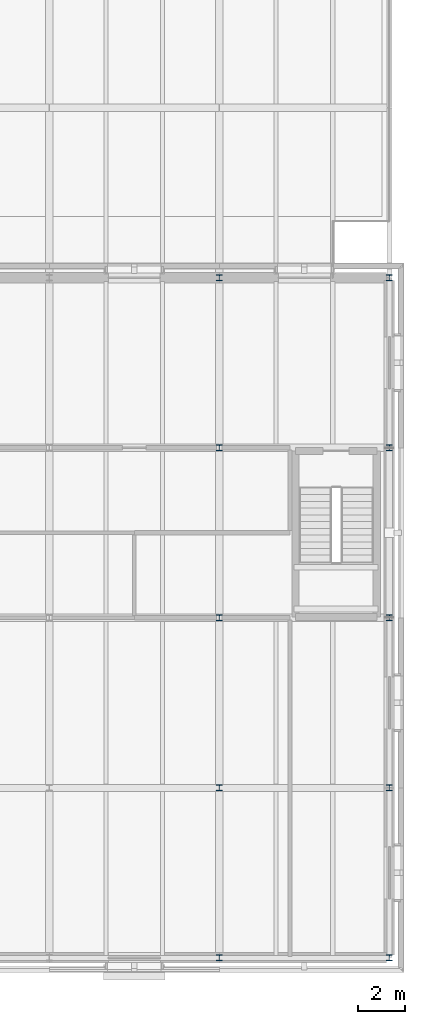
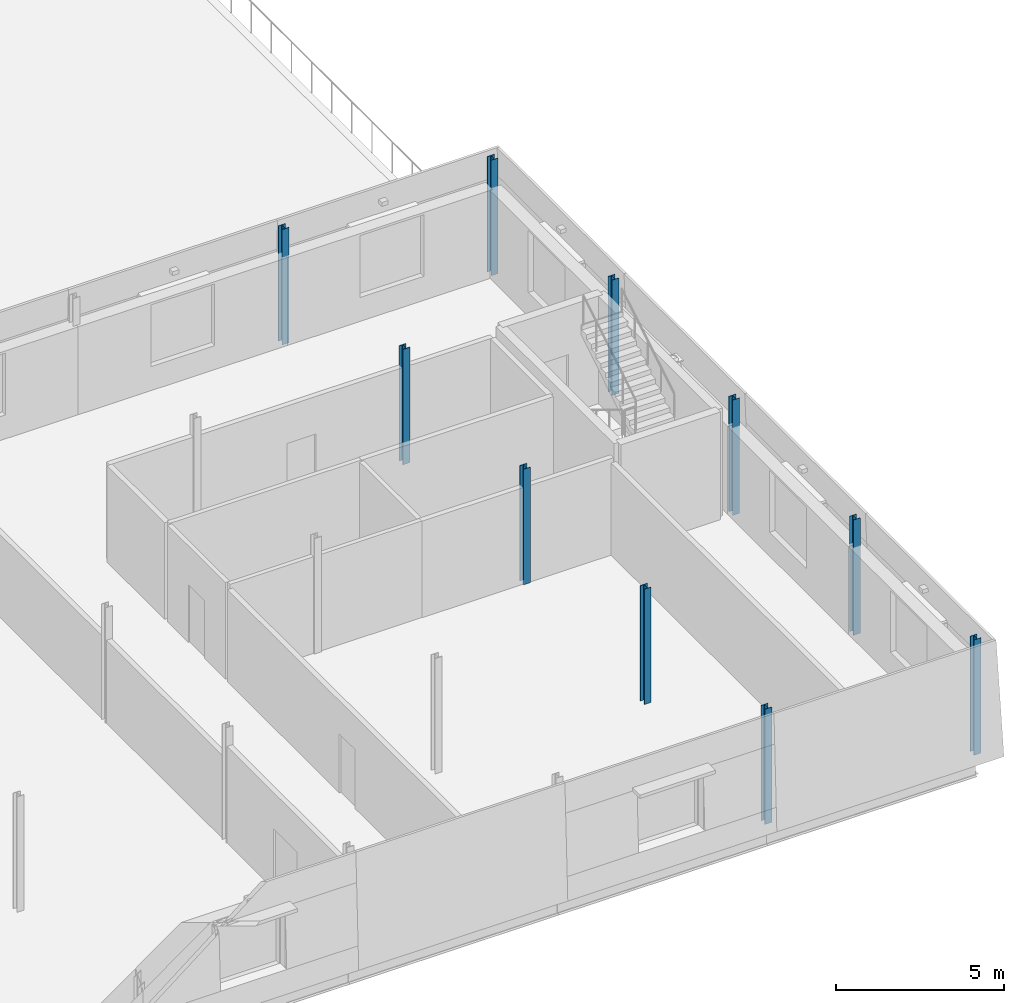
# One storey, part 13 of 115: 10 columns.
"""IFC4 building model written with IfcOpenShell, lengths in metres."""

from ifc_helpers import new_model, si_unit, direction, frame, origin, origin_2d, place, context, subcontext, project, spatial, i_section, extrude, material, material_profile, profile_set, type_object, element, save


model = new_model("IFC4")

# Units and contexts
model_context = context("Model", 3, precision=1e-05, world=origin(), true_north=direction((0.0, 1.0)))
body_context = subcontext(model_context, "Body", "Model", "MODEL_VIEW")
ifc_project = project(units=[si_unit("LENGTHUNIT", "METRE"), si_unit("AREAUNIT", "SQUARE_METRE"), si_unit("VOLUMEUNIT", "CUBIC_METRE"), si_unit("PLANEANGLEUNIT", "RADIAN"), si_unit("MASSUNIT", "GRAM", prefix="KILO")], contexts=[model_context])

# Site, building, storey
site_placement = place(None, origin())
site = spatial("IfcSite", under=ifc_project, at=site_placement, CompositionType="ELEMENT")
building_placement = place(site_placement, origin())
building = spatial("IfcBuilding", under=site, at=building_placement, Name="Narikvali Park Central Library", CompositionType="ELEMENT")
storey_placement = place(building_placement, frame((0.0, 0.0, 10.199951171875)))
storey = spatial("IfcBuildingStorey", under=building, at=storey_placement, Name="L02", CompositionType="ELEMENT", Elevation=10.199951171875)

# Columns
ifc_material = material(Name="Steel S355", Category="steel")
ifc_material_profile = material_profile(ifc_material, i_section(OverallWidth=0.239990234375, OverallDepth=0.239990234375, WebThickness=0.010009765625, FlangeThickness=0.01708984375, FilletRadius=0.02099609375, at=origin_2d()), Name="HEB 240")
ifc_profile_set = profile_set([ifc_material_profile], Name="Steel S355")
column_type = type_object("IfcColumnType", Name="Steel Column HEB240", PredefinedType="COLUMN", material=ifc_profile_set)
for number, where, z_axis, x_axis, name in (
    (1, (158.39990234375, 0.0, 0.0), (0.0, 0.0, 1.0), (1.0, 0.0, 0.0), "V6 L02 Column (158.4,0.0)"),
    (2, (158.39990234375, 7.199951171875, 0.0), (0.0, 0.0, 1.0), (1.0, 0.0, 0.0), "V6 L02 Column (158.4,7.2)"),
    (3, (158.39990234375, 14.39990234375, 0.0), (0.0, 0.0, 1.0), (1.0, 0.0, 0.0), "V6 L02 Column (158.4,14.4)"),
    (4, (158.39990234375, 21.60009765625, 0.0), (0.0, 0.0, 1.0), (1.0, 0.0, 0.0), "V6 L02 Column (158.4,21.6)"),
    (5, (158.39990234375, 28.800048828125, 0.0), (0.0, 0.0, 1.0), (1.0, 0.0, 0.0), "V6 L02 Column (158.4,28.8)"),
    (6, (165.60009765625, 0.0, 0.0), (0.0, 0.0, 1.0), (1.0, 0.0, 0.0), "V6 L02 Column (165.6,0.0)"),
    (7, (165.60009765625, 7.199951171875, 0.0), (0.0, 0.0, 1.0), (1.0, 0.0, 0.0), "V6 L02 Column (165.6,7.2)"),
    (8, (165.60009765625, 14.39990234375, 0.0), (0.0, 0.0, 1.0), (1.0, 0.0, 0.0), "V6 L02 Column (165.6,14.4)"),
    (9, (165.60009765625, 21.60009765625, 0.0), (0.0, 0.0, 1.0), (1.0, 0.0, 0.0), "V6 L02 Column (165.6,21.6)"),
    (10, (165.60009765625, 28.800048828125, 0.0), (0.0, 0.0, 1.0), (1.0, 0.0, 0.0), "V6 L02 Column (165.6,28.8)"),
):
    element("IfcColumn", number, at=place(storey_placement, frame(where, z_axis=z_axis, x_axis=x_axis)), inside=storey, type_object=column_type, Name=name, PredefinedType="COLUMN", context=body_context, shape_type="SweptSolid", body=[
        extrude(i_section(OverallWidth=0.239990234375, OverallDepth=0.239990234375, WebThickness=0.010009765625, FlangeThickness=0.01708984375, FilletRadius=0.02099609375, at=origin_2d()), origin(), (0.0, 0.0, 1.0), 4.199951171875),
    ])

save(model, "model.ifc")
